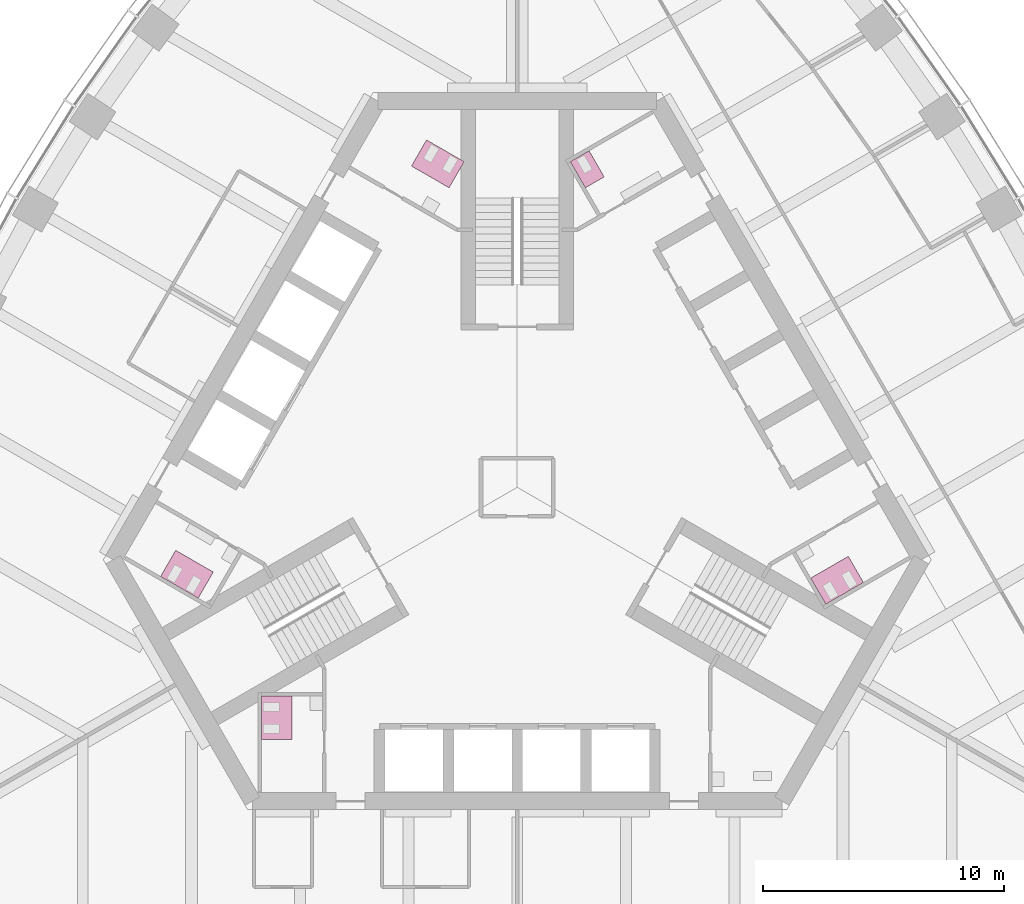
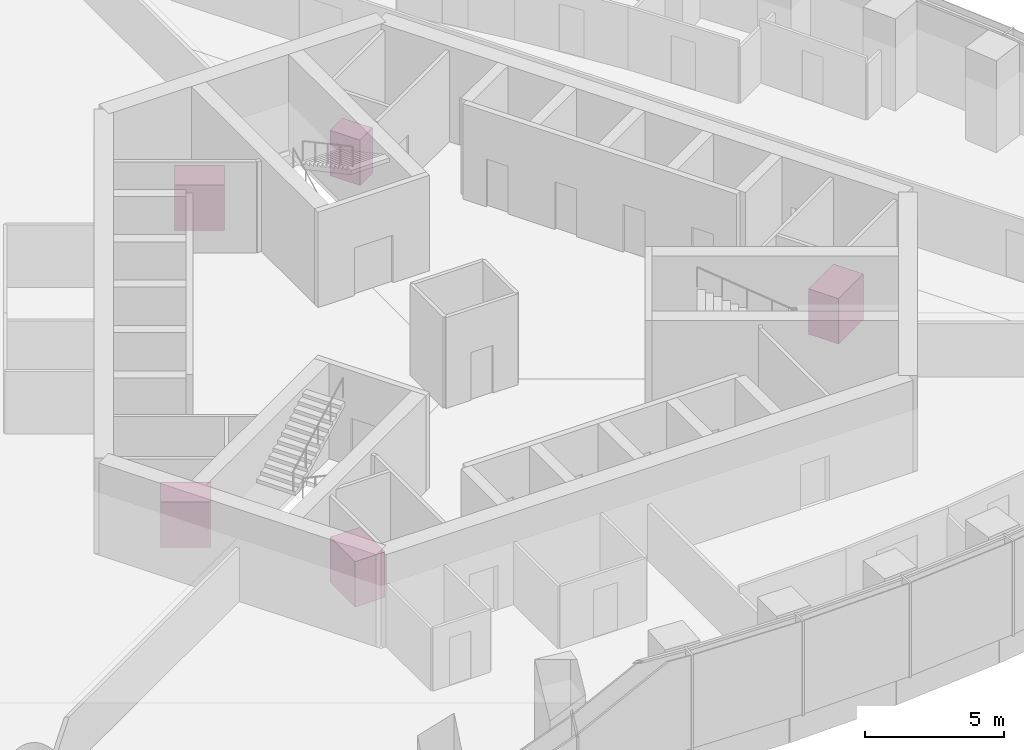
# One storey, part 15 of 15: 5 furniture elements.
"""IFC4 building model written with IfcOpenShell, lengths in metres."""

from ifc_helpers import new_model, si_unit, direction, frame, origin, place, context, subcontext, project, spatial, polyline, outline, extrude, material, type_object, element, save


model = new_model("IFC4")

# Units and contexts
model_context = context("Model", 3, precision=1e-05, world=origin(), true_north=direction((0.0, 1.0)))
body_context = subcontext(model_context, "Body", "Model", "MODEL_VIEW")
ifc_project = project(units=[si_unit("LENGTHUNIT", "METRE"), si_unit("AREAUNIT", "SQUARE_METRE"), si_unit("VOLUMEUNIT", "CUBIC_METRE"), si_unit("PLANEANGLEUNIT", "RADIAN"), si_unit("MASSUNIT", "GRAM", prefix="KILO")], contexts=[model_context])

# Site, building, storey
site_placement = place(None, origin())
site = spatial("IfcSite", under=ifc_project, at=site_placement, CompositionType="ELEMENT")
building_placement = place(site_placement, origin())
building = spatial("IfcBuilding", under=site, at=building_placement, Name="Trefoil Bronze Tower", CompositionType="ELEMENT")
storey_placement = place(building_placement, frame((0.0, 0.0, 276.300048828125)))
storey = spatial("IfcBuildingStorey", under=building, at=storey_placement, Name="L63", CompositionType="ELEMENT", Elevation=276.300048828125)

# Furniture
ifc_material_1 = material(Name="Compact laminate cubicles", Category="plastic")
furniture_type_1 = type_object("IfcFurnitureType", Name="WC cubicle range 1 cubicles", AssemblyPlace="FACTORY", PredefinedType="USERDEFINED", material=ifc_material_1)
furniture_1_placement = place(storey_placement, origin())
element("IfcFurniture", 1, at=furniture_1_placement, inside=storey, type_object=furniture_type_1, Name="WC cubicle range WC (men) L63", ObjectType="WC cubicle range", PredefinedType="USERDEFINED", context=body_context, shape_type="SweptSolid", body=[
    extrude(outline(polyline([(2.82373046875, 12.409423828125), (2.19873046875, 13.491943359375), (2.97802734375, 13.94189453125), (3.60302734375, 12.859375), (2.82373046875, 12.409423828125)])), origin(), (0.0, 0.0, 1.0), 2.0),
])
ifc_material_2 = material(Name="Compact laminate cubicles", Category="plastic")
furniture_type_2 = type_object("IfcFurnitureType", Name="WC cubicle range 2 cubicles", AssemblyPlace="FACTORY", PredefinedType="USERDEFINED", material=ifc_material_2)
furniture_2_placement = place(storey_placement, origin())
element("IfcFurniture", 2, at=furniture_2_placement, inside=storey, type_object=furniture_type_2, Name="WC cubicle range WC (women) L63", ObjectType="WC cubicle range", PredefinedType="USERDEFINED", context=body_context, shape_type="SweptSolid", body=[
    extrude(outline(polyline([(12.15869140625, -3.75927734375), (12.78369140625, -4.841796875), (14.342529296875, -3.94189453125), (13.717529296875, -2.859375), (12.15869140625, -3.75927734375)])), origin(), (0.0, 0.0, 1.0), 2.0),
])
furniture_3_placement = place(storey_placement, origin())
element("IfcFurniture", 3, at=furniture_3_placement, inside=storey, type_object=furniture_type_2, Name="WC cubicle range WC (women) L63", ObjectType="WC cubicle range", PredefinedType="USERDEFINED", context=body_context, shape_type="SweptSolid", body=[
    extrude(outline(polyline([(-2.82373046875, 12.409423828125), (-2.19873046875, 13.491943359375), (-3.757568359375, 14.391845703125), (-4.382568359375, 13.309326171875), (-2.82373046875, 12.409423828125)])), origin(), (0.0, 0.0, 1.0), 2.0),
])
furniture_4_placement = place(storey_placement, origin())
element("IfcFurniture", 4, at=furniture_4_placement, inside=storey, type_object=furniture_type_2, Name="WC cubicle range WC (men) L63", ObjectType="WC cubicle range", PredefinedType="USERDEFINED", context=body_context, shape_type="SweptSolid", body=[
    extrude(outline(polyline([(-12.591552734375, -3.50927734375), (-13.216552734375, -4.591796875), (-14.775390625, -3.69189453125), (-14.150390625, -2.609375), (-12.591552734375, -3.50927734375)])), origin(), (0.0, 0.0, 1.0), 2.0),
])
furniture_5_placement = place(storey_placement, origin())
element("IfcFurniture", 5, at=furniture_5_placement, inside=storey, type_object=furniture_type_2, Name="WC cubicle range WC (women) L63", ObjectType="WC cubicle range", PredefinedType="USERDEFINED", context=body_context, shape_type="SweptSolid", body=[
    extrude(outline(polyline([(-9.3349609375, -8.64990234375), (-10.5849609375, -8.64990234375), (-10.5849609375, -10.449951171875), (-9.3349609375, -10.449951171875), (-9.3349609375, -8.64990234375)])), origin(), (0.0, 0.0, 1.0), 2.0),
])

save(model, "model.ifc")
